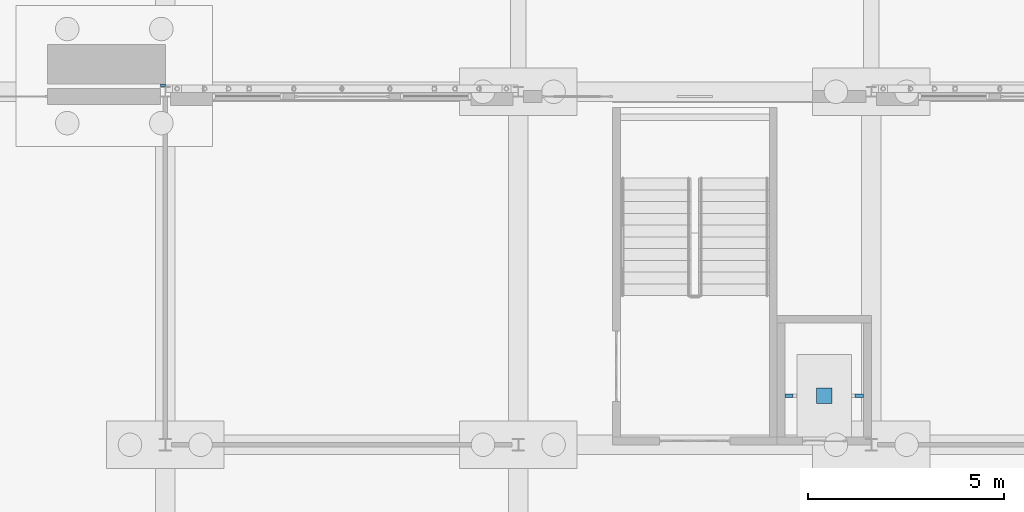
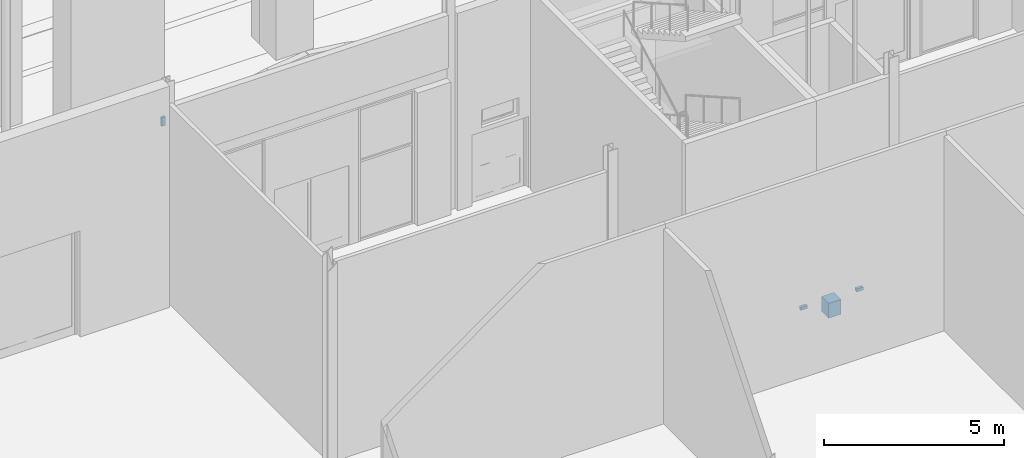
# One storey, part 168 of 250: 4 discrete accessories.
"""IFC4 building model written with IfcOpenShell, lengths in metres."""

from ifc_helpers import new_model, si_unit, direction, frame, origin, origin_2d, place, context, subcontext, project, spatial, rectangle, extrude, material, type_object, element, save


model = new_model("IFC4")

# Units and contexts
model_context = context("Model", 3, precision=1e-05, world=origin(), true_north=direction((0.0, 1.0)))
body_context = subcontext(model_context, "Body", "Model", "MODEL_VIEW")
ifc_project = project(units=[si_unit("LENGTHUNIT", "METRE"), si_unit("AREAUNIT", "SQUARE_METRE"), si_unit("VOLUMEUNIT", "CUBIC_METRE"), si_unit("PLANEANGLEUNIT", "RADIAN"), si_unit("MASSUNIT", "GRAM", prefix="KILO")], contexts=[model_context])

# Site, building, storey
site_placement = place(None, origin())
site = spatial("IfcSite", under=ifc_project, at=site_placement, CompositionType="ELEMENT")
building_placement = place(site_placement, origin())
building = spatial("IfcBuilding", under=site, at=building_placement, Name="Baradari Gate Terminus", CompositionType="ELEMENT")
storey_placement = place(building_placement, origin())
storey = spatial("IfcBuildingStorey", under=building, at=storey_placement, Name="L00", CompositionType="ELEMENT", Elevation=0.0)

# Discrete accessories
ifc_material_1 = material(Name="Steel S355", Category="steel")
discrete_accessory_type_1 = type_object("IfcDiscreteAccessoryType", Name="Lift buffer BF-1 400x400x500", PredefinedType="SHOE", material=ifc_material_1)
discrete_accessory_1_placement = place(storey_placement, frame((187.800048828125, 100.25, -1.60009765625), z_axis=(0.0, 0.0, 1.0), x_axis=(1.0, 0.0, 0.0)))
element("IfcDiscreteAccessory", 1, at=discrete_accessory_1_placement, inside=storey, type_object=discrete_accessory_type_1, Name="Lift buffer LH3", PredefinedType="SHOE", context=body_context, shape_type="SweptSolid", body=[
    extrude(rectangle(XDim=0.39990234375, YDim=0.39990234375, at=origin_2d()), origin(), (0.0, 0.0, 1.0), 0.5),
])
ifc_material_2 = material(Name="Steel S355", Category="steel")
discrete_accessory_type_2 = type_object("IfcDiscreteAccessoryType", Name="Lift rail bracket RB-L1 100x100", PredefinedType="BRACKET", material=ifc_material_2)
for number, where, z_axis, x_axis, name in (
    (2, (186.905029296875, 100.25, -1.150146484375), (0.0, 0.0, 1.0), (1.0, 0.0, 0.0), "Lift rail bracket LH3 1A"),
    (3, (188.695068359375, 100.25, -1.150146484375), (0.0, 0.0, 1.0), (1.0, 0.0, 0.0), "Lift rail bracket LH3 2A"),
):
    element("IfcDiscreteAccessory", number, at=place(storey_placement, frame(where, z_axis=z_axis, x_axis=x_axis)), inside=storey, type_object=discrete_accessory_type_2, Name=name, PredefinedType="BRACKET", context=body_context, shape_type="SweptSolid", body=[
        extrude(rectangle(XDim=0.2099609375, YDim=0.10009765625, at=origin_2d()), origin(), (0.0, 0.0, 1.0), 0.10009765625),
    ])
ifc_material_3 = material(Name="Steel S355", Category="steel")
discrete_accessory_type_3 = type_object("IfcDiscreteAccessoryType", Name="Pier tie cleat PT1 120x300", PredefinedType="BRACKET", material=ifc_material_3)
discrete_accessory_2_placement = place(storey_placement, frame((170.93994140625, 108.1650390625, 5.85009765625), z_axis=(0.0, 0.0, 1.0), x_axis=(1.0, 0.0, 0.0)))
element("IfcDiscreteAccessory", 4, at=discrete_accessory_2_placement, inside=storey, type_object=discrete_accessory_type_3, Name="Pier tie cleat at 171 level 6", PredefinedType="BRACKET", context=body_context, shape_type="SweptSolid", body=[
    extrude(rectangle(XDim=0.1201171875, YDim=0.06982421875, at=origin_2d()), origin(), (0.0, 0.0, 1.0), 0.300048828125),
])

save(model, "model.ifc")
